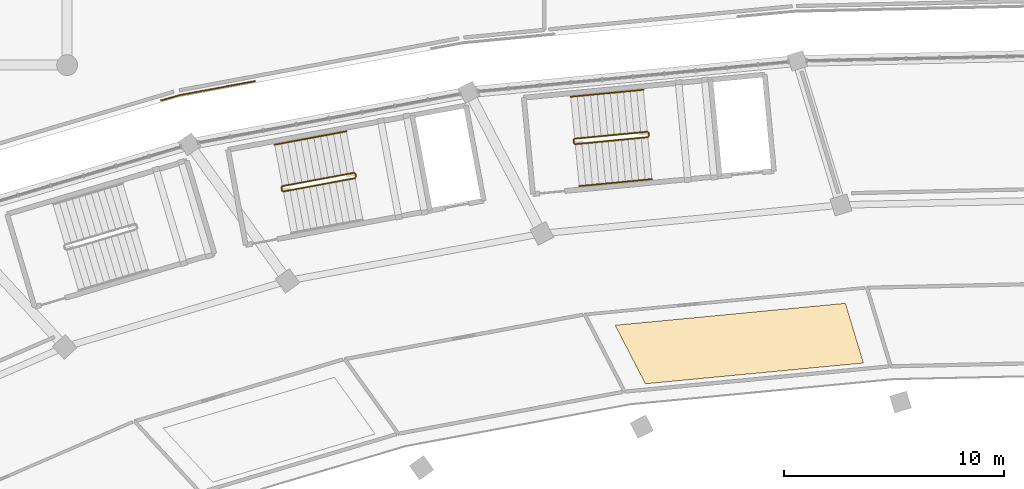
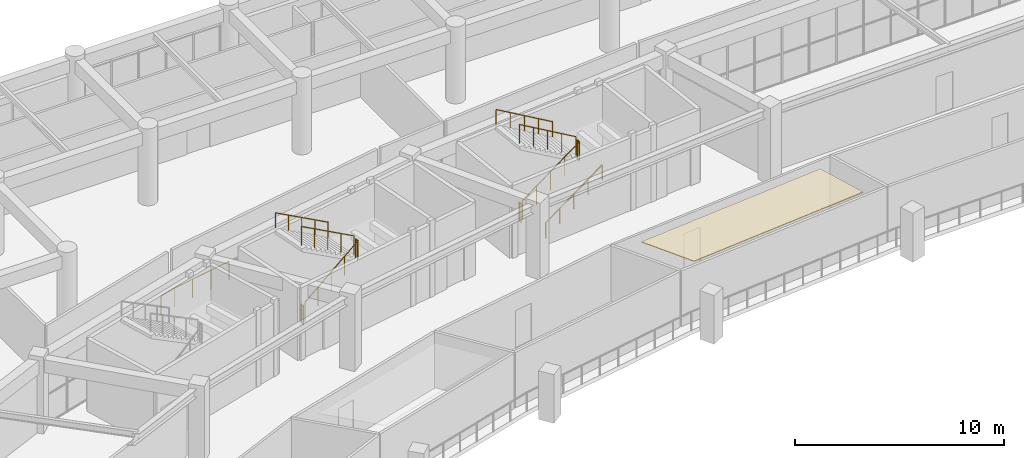
# One storey, part 136 of 141: 12 railings, 1 covering.
"""IFC4 building model written with IfcOpenShell, lengths in metres."""

import ifcopenshell
import ifcopenshell.guid

model = None  # the IFC model being written
_history = None  # IfcOwnerHistory: only IFC2X3 demands one
_inside = {}  # id of a spatial element -> (the spatial element, [elements in it])
_under = {}  # id of a project, library or spatial element -> (it, [spatial elements below it])
_declared = {}  # id of a project -> (the project, [libraries it declares])
_typed = {}  # id of a type object -> (the type object, [elements of that type])
_made_of = {}  # id of a material, layer set ... -> (it, [elements and type objects made of it])


def new_model(schema):
    """Start an empty IFC model of exactly this schema.

    Asked for "IFC4X3", IfcOpenShell would pick the latest addendum, in which some entities
    have other attributes; the version numbers below select the first issue.
    IFC2X3 requires an IfcOwnerHistory on every rooted entity: one is made here for all.
    """
    global model, _history
    if schema == "IFC4X3":
        model = ifcopenshell.file(schema_version=(4, 3, 0, 0))
    else:
        model = ifcopenshell.file(schema=schema)
    _inside.clear()
    _under.clear()
    _declared.clear()
    _typed.clear()
    _made_of.clear()
    _history = None
    if model.schema == "IFC2X3":
        org = make("IfcOrganization", Name="unknown")
        user = make(
            "IfcPersonAndOrganization",
            ThePerson=make("IfcPerson", FamilyName="unknown"),
            TheOrganization=org,
        )
        app = make(
            "IfcApplication",
            ApplicationDeveloper=org,
            Version="unknown",
            ApplicationFullName="unknown",
            ApplicationIdentifier="unknown",
        )
        _history = make(
            "IfcOwnerHistory",
            OwningUser=user,
            OwningApplication=app,
            ChangeAction="ADDED",
            CreationDate=0,
        )
    return model


def make(cls, **values):
    """One entity of the class cls with the attributes given. An attribute that is None is left unset."""
    return model.create_entity(
        cls, **{name: value for name, value in values.items() if value is not None}
    )


def rooted(cls, **values):
    """An entity with a GlobalId (a new one), such as an element, a storey or a relation."""
    return make(cls, GlobalId=ifcopenshell.guid.new(), OwnerHistory=_history, **values)


def si_unit(unit_type, name, prefix=None):
    """IfcSIUnit, for example si_unit("LENGTHUNIT", "METRE", prefix="MILLI")."""
    return make("IfcSIUnit", UnitType=unit_type, Prefix=prefix, Name=name)


def assignment(units):
    """IfcUnitAssignment: the units of a project."""
    return None if units is None else make("IfcUnitAssignment", Units=units)


def point(xyz):
    """IfcCartesianPoint."""
    return None if xyz is None else make("IfcCartesianPoint", Coordinates=xyz)


def direction(xyz):
    """IfcDirection."""
    return None if xyz is None else make("IfcDirection", DirectionRatios=xyz)


def frame(location, z_axis=None, x_axis=None):
    """IfcAxis2Placement3D, a coordinate frame: its origin and axes. An axis left out is left unset."""
    return make(
        "IfcAxis2Placement3D",
        Location=point(location),
        Axis=direction(z_axis),
        RefDirection=direction(x_axis),
    )


def frame_2d(location, x_axis=None):
    """IfcAxis2Placement2D, a coordinate frame in the plane: its origin and x axis."""
    return make(
        "IfcAxis2Placement2D", Location=point(location), RefDirection=direction(x_axis)
    )


def origin():
    """The frame at (0, 0, 0) with its axes left unset."""
    return frame((0.0, 0.0, 0.0))


def origin_2d():
    """The frame at (0, 0) in the plane with its x axis left unset."""
    return frame_2d((0.0, 0.0))


def place(relative_to, where):
    """IfcLocalPlacement: puts the frame where relative to a parent placement (None: the world)."""
    return make(
        "IfcLocalPlacement", PlacementRelTo=relative_to, RelativePlacement=where
    )


def context(
    kind, dimensions, precision=None, world=None, true_north=None, identifier=None
):
    """IfcGeometricRepresentationContext, for example the 3D "Model" context."""
    return make(
        "IfcGeometricRepresentationContext",
        ContextIdentifier=identifier,
        ContextType=kind,
        CoordinateSpaceDimension=dimensions,
        Precision=precision,
        WorldCoordinateSystem=world,
        TrueNorth=true_north,
    )


def subcontext(parent, identifier, kind, view, scale=None):
    """IfcGeometricRepresentationSubContext, for example "Body" below "Model"."""
    return make(
        "IfcGeometricRepresentationSubContext",
        ContextIdentifier=identifier,
        ContextType=kind,
        ParentContext=parent,
        TargetScale=scale,
        TargetView=view,
    )


def project(units=None, contexts=None):
    """IfcProject with its units and contexts."""
    return rooted(
        "IfcProject",
        Name="project",
        RepresentationContexts=contexts,
        UnitsInContext=assignment(units),
    )


def spatial(cls, under=None, at=None, **own):
    """A site, building, storey or space (cls), placed at a placement, below another one or the project."""
    s = rooted(cls, ObjectPlacement=at, **own)
    if under is not None:
        _under.setdefault(under.id(), (under, []))[1].append(s)
    return s


def polyline(points):
    """IfcPolyline through the points."""
    return make("IfcPolyline", Points=[point(p) for p in points])


def profile(cls, at=None, kind="AREA", **sizes):
    """A parametric profile (cls). Its sizes go by their IFC names, for example OverallWidth=200.0."""
    return make(cls, ProfileType=kind, Position=at, **sizes)


def circle(**sizes):
    """IfcCircleProfileDef."""
    return profile("IfcCircleProfileDef", **sizes)


def outline(outer, holes=None, kind="AREA"):
    """IfcArbitraryClosedProfileDef: a profile drawn as a closed curve; with holes, ...WithVoids."""
    if holes is None:
        return make("IfcArbitraryClosedProfileDef", ProfileType=kind, OuterCurve=outer)
    return make(
        "IfcArbitraryProfileDefWithVoids",
        ProfileType=kind,
        OuterCurve=outer,
        InnerCurves=holes,
    )


def extrude(swept, where, along, depth):
    """IfcExtrudedAreaSolid: the profile swept, set in the frame where, extruded along a direction by depth."""
    return make(
        "IfcExtrudedAreaSolid",
        SweptArea=swept,
        Position=where,
        ExtrudedDirection=direction(along),
        Depth=depth,
    )


def shape(context_of_items, identifier, shape_type, items):
    """IfcShapeRepresentation: the items that make up one representation, for example the "Body"."""
    return make(
        "IfcShapeRepresentation",
        ContextOfItems=context_of_items,
        RepresentationIdentifier=identifier,
        RepresentationType=shape_type,
        Items=items,
    )


def material(Name=None, Category=None):
    """IfcMaterial."""
    return make("IfcMaterial", Name=Name, Category=Category)


def layer(
    of_material, thickness, ventilated=None, Name=None, Category=None, Priority=None
):
    """IfcMaterialLayer: one layer of a wall or slab, of a material (None: an air gap)."""
    return make(
        "IfcMaterialLayer",
        Material=of_material,
        LayerThickness=thickness,
        IsVentilated=ventilated,
        Name=Name,
        Category=Category,
        Priority=Priority,
    )


def layer_set(layers, Name=None):
    """IfcMaterialLayerSet."""
    return make("IfcMaterialLayerSet", MaterialLayers=layers, LayerSetName=Name)


def made_of(thing, what):
    """Note that an element or type object is made of a material, layer set ...; save() writes the relation."""
    if what is not None:
        _made_of.setdefault(what.id(), (what, []))[1].append(thing)
    return thing


def type_object(cls, material=None, **own):
    """A type object (cls), such as IfcWallType, which elements share."""
    return made_of(rooted(cls, **own), material)


def element(
    cls,
    number,
    at=None,
    inside=None,
    cuts=None,
    type_object=None,
    material=None,
    context=None,
    identifier="Body",
    shape_type=None,
    held_by="IfcProductDefinitionShape",
    body=None,
    shapes=None,
    **own,
):
    """One element of the class cls, such as IfcWall. Its Tag is "e" and its number.

    at: its placement. inside: the storey or other place that contains it. cuts: it is an
    opening in that element (IfcRelVoidsElement). A single representation is given by context,
    identifier, shape_type and body (its items); several are given by shapes. held_by: the class
    of the entity that holds the representations. save() writes the other relations.
    """
    e = rooted(cls, Tag="e%d" % number, ObjectPlacement=at, **own)
    if body is not None:
        shapes = [shape(context, identifier, shape_type, body)]
    if shapes is not None:
        e.Representation = make(held_by, Representations=shapes)
    if inside is not None:
        _inside.setdefault(inside.id(), (inside, []))[1].append(e)
    if cuts is not None:
        rooted(
            "IfcRelVoidsElement", RelatingBuildingElement=cuts, RelatedOpeningElement=e
        )
    if type_object is not None:
        _typed.setdefault(type_object.id(), (type_object, []))[1].append(e)
    return made_of(e, material)


def aggregate(whole, parts):
    """IfcRelAggregates: a whole, such as a stair, and the parts it consists of."""
    return rooted("IfcRelAggregates", RelatingObject=whole, RelatedObjects=parts)


def save(model, path):
    """Write the relations noted so far, then the file.

    IfcRelAggregates (storeys below a building ...), IfcRelContainedInSpatialStructure (elements
    in a storey), IfcRelDefinesByType, IfcRelAssociatesMaterial and IfcRelDeclares: one each for
    every whole, place, type object, material and project.
    """
    for whole, parts in _under.values():
        aggregate(whole, parts)
    for where, things in _inside.values():
        rooted(
            "IfcRelContainedInSpatialStructure",
            RelatedElements=things,
            RelatingStructure=where,
        )
    for kind, things in _typed.values():
        rooted("IfcRelDefinesByType", RelatedObjects=things, RelatingType=kind)
    for what, things in _made_of.values():
        rooted("IfcRelAssociatesMaterial", RelatedObjects=things, RelatingMaterial=what)
    for by, libraries in _declared.values():
        rooted("IfcRelDeclares", RelatingContext=by, RelatedDefinitions=libraries)
    model.write(path)


model = new_model("IFC4")

# Units and contexts
model_context = context("Model", 3, precision=1e-05, world=origin(), true_north=direction((0.0, 1.0)))
body_context = subcontext(model_context, "Body", "Model", "MODEL_VIEW")
ifc_project = project(units=[si_unit("LENGTHUNIT", "METRE"), si_unit("AREAUNIT", "SQUARE_METRE"), si_unit("VOLUMEUNIT", "CUBIC_METRE"), si_unit("PLANEANGLEUNIT", "RADIAN"), si_unit("MASSUNIT", "GRAM", prefix="KILO")], contexts=[model_context])

# Site, building, storey
site_placement = place(None, origin())
site = spatial("IfcSite", under=ifc_project, at=site_placement, CompositionType="ELEMENT")
building_placement = place(site_placement, origin())
building = spatial("IfcBuilding", under=site, at=building_placement, Name="Mphavela Belvedere Stadium", CompositionType="ELEMENT")
storey_placement = place(building_placement, frame((0.0, 0.0, 14.699951171875)))
storey = spatial("IfcBuildingStorey", under=building, at=storey_placement, Name="L03", CompositionType="ELEMENT", Elevation=14.699951171875)

# Covering
ifc_material_1 = material(Name="Perforated acoustic mineral ceiling tile")
ifc_layer = layer(ifc_material_1, 0.0400390625)
ifc_layer_set = layer_set([ifc_layer], Name="Perforated acoustic mineral ceiling tile")
covering_type = type_object("IfcCoveringType", Name="COV-CEILING-ACOUSTIC", PredefinedType="CEILING", material=ifc_layer_set)
covering_placement = place(storey_placement, frame((0.0, 0.0, 3.199951171875)))
element("IfcCovering", 1, at=covering_placement, inside=storey, type_object=covering_type, Name="Concourse acoustic ceiling L03-14", PredefinedType="CEILING", context=body_context, shape_type="SweptSolid", body=[
    extrude(outline(polyline([(95.889404296875, 146.43701171875), (85.961181640625, 145.490234375), (84.58447265625, 148.1552734375), (95.068115234375, 149.15478515625), (95.889404296875, 146.43701171875)])), origin(), (0.0, 0.0, 1.0), 0.0400390625),
])

# Railings
ifc_material_2 = material(Name="Bronze and laminated glass stadium balustrade", Category="glass")
railing_type_1 = type_object("IfcRailingType", Name="RAL-BALUSTRADE-1120", PredefinedType="BALUSTRADE", material=ifc_material_2)
railing_1_placement = place(storey_placement, frame((68.1826171875, 159.271728515625, 0.0)))
element("IfcRailing", 2, at=railing_1_placement, inside=storey, type_object=railing_type_1, Name="Peristyle wing gallery edge balustrade L03-32", PredefinedType="BALUSTRADE", context=body_context, shape_type="SweptSolid", body=[
    extrude(circle(Radius=0.02392578125, at=origin_2d()), frame((0.0, 0.0, 1.09619140625), z_axis=(-0.983089595219, -0.183125224291, 0.0), x_axis=(0.183125224291, -0.983089595219, 0.0)), (0.0, 0.0, 1.0), 3.459716796875),
    extrude(circle(Radius=0.02392578125, at=origin_2d()), frame((-3.401123046875, -0.633544921875, 1.09619140625), z_axis=(-0.96248917912, -0.271320069434, 0.0), x_axis=(0.271320069434, -0.96248917912, 0.0)), (0.0, 0.0, 1.0), 0.91064453125),
    extrude(circle(Radius=0.02099609375, at=origin_2d()), origin(), (0.0, 0.0, 1.0), 1.072021484375),
    extrude(circle(Radius=0.02099609375, at=origin_2d()), frame((-1.1337890625, -0.211181640625, 0.0)), (0.0, 0.0, 1.0), 1.072021484375),
    extrude(circle(Radius=0.02099609375, at=origin_2d()), frame((-2.267333984375, -0.42236328125, 0.0)), (0.0, 0.0, 1.0), 1.072021484375),
    extrude(circle(Radius=0.02099609375, at=origin_2d()), frame((-3.401123046875, -0.633544921875, 0.0)), (0.0, 0.0, 1.0), 1.072021484375),
    extrude(circle(Radius=0.02099609375, at=origin_2d()), frame((-4.277587890625, -0.880615234375, 0.0)), (0.0, 0.0, 1.0), 1.072021484375),
])
ifc_material_3 = material(Name="Painted galvanised steel stair guardrail", Category="steel")
railing_type_2 = type_object("IfcRailingType", Name="RAL-GUARD-1120", PredefinedType="GUARDRAIL", material=ifc_material_3)
railing_2_placement = place(storey_placement, frame((69.47607421875, 154.24609375, 0.1875)))
element("IfcRailing", 3, at=railing_2_placement, inside=storey, type_object=railing_type_2, Name="L03 ST-C02 stair guard 1", PredefinedType="GUARDRAIL", context=body_context, shape_type="SweptSolid", body=[
    extrude(circle(Radius=0.02392578125, at=origin_2d()), frame((0.0, 0.0, 1.09619140625), z_axis=(0.835191065509, 0.155599292408, 0.527489094006), x_axis=(-0.183152411056, 0.98308453061, 0.0)), (0.0, 0.0, 1.0), 3.909912109375),
    extrude(circle(Radius=0.02099609375, at=origin_2d()), origin(), (0.0, 0.0, 1.0), 1.072021484375),
    extrude(circle(Radius=0.02099609375, at=origin_2d()), frame((0.81640625, 0.152099609375, 0.515625)), (0.0, 0.0, 1.0), 1.072021484375),
    extrude(circle(Radius=0.02099609375, at=origin_2d()), frame((1.6328125, 0.30419921875, 1.03125)), (0.0, 0.0, 1.0), 1.072021484375),
    extrude(circle(Radius=0.02099609375, at=origin_2d()), frame((2.44921875, 0.456298828125, 1.546875)), (0.0, 0.0, 1.0), 1.072021484375),
    extrude(circle(Radius=0.02099609375, at=origin_2d()), frame((3.265625, 0.6083984375, 2.0625)), (0.0, 0.0, 1.0), 1.072021484375),
])
railing_3_placement = place(storey_placement, frame((72.78173828125, 154.91259765625, 2.25)))
element("IfcRailing", 4, at=railing_3_placement, inside=storey, type_object=railing_type_2, Name="L03 ST-C02 stair guard 2", PredefinedType="GUARDRAIL", context=body_context, shape_type="SweptSolid", body=[
    extrude(circle(Radius=0.02392578125, at=origin_2d()), frame((0.0, 0.0, 1.09619140625), z_axis=(-0.182322426032, 0.983238797529, 0.0), x_axis=(-0.983238797529, -0.182322426032, 0.0)), (0.0, 0.0, 1.0), 0.14990234375),
    extrude(circle(Radius=0.02099609375, at=origin_2d()), origin(), (0.0, 0.0, 1.0), 1.072021484375),
    extrude(circle(Radius=0.02099609375, at=origin_2d()), frame((-0.02734375, 0.1474609375, 0.0)), (0.0, 0.0, 1.0), 1.072021484375),
])
railing_4_placement = place(storey_placement, frame((72.696044921875, 155.10009765625, 2.4375)))
element("IfcRailing", 5, at=railing_4_placement, inside=storey, type_object=railing_type_2, Name="L03 ST-C02 stair guard 3", PredefinedType="GUARDRAIL", context=body_context, shape_type="SweptSolid", body=[
    extrude(circle(Radius=0.02392578125, at=origin_2d()), frame((0.0, 0.0, 1.09619140625), z_axis=(-0.835218061398, -0.155530252743, 0.527466710226), x_axis=(0.183068151301, -0.983100224789, 0.0)), (0.0, 0.0, 1.0), 3.91015625),
    extrude(circle(Radius=0.02099609375, at=origin_2d()), origin(), (0.0, 0.0, 1.0), 1.072021484375),
    extrude(circle(Radius=0.02099609375, at=origin_2d()), frame((-0.81640625, -0.152099609375, 0.515625)), (0.0, 0.0, 1.0), 1.072021484375),
    extrude(circle(Radius=0.02099609375, at=origin_2d()), frame((-1.6328125, -0.30419921875, 1.03125)), (0.0, 0.0, 1.0), 1.072021484375),
    extrude(circle(Radius=0.02099609375, at=origin_2d()), frame((-2.449462890625, -0.4560546875, 1.546875)), (0.0, 0.0, 1.0), 1.072021484375),
    extrude(circle(Radius=0.02099609375, at=origin_2d()), frame((-3.265869140625, -0.608154296875, 2.0625)), (0.0, 0.0, 1.0), 1.072021484375),
])
railing_5_placement = place(storey_placement, frame((69.417724609375, 154.2861328125, 0.0)))
element("IfcRailing", 6, at=railing_5_placement, inside=storey, type_object=railing_type_2, Name="L03 ST-C02 stair guard 4", PredefinedType="GUARDRAIL", context=body_context, shape_type="SweptSolid", body=[
    extrude(circle(Radius=0.02392578125, at=origin_2d()), frame((0.0, 0.0, 1.09619140625), z_axis=(-0.183895489382, 0.982945801652, 0.0), x_axis=(-0.982945801652, -0.183895489382, 0.0)), (0.0, 0.0, 1.0), 0.14990234375),
    extrude(circle(Radius=0.02099609375, at=origin_2d()), origin(), (0.0, 0.0, 1.0), 1.072021484375),
    extrude(circle(Radius=0.02099609375, at=origin_2d()), frame((-0.027587890625, 0.1474609375, 0.0)), (0.0, 0.0, 1.0), 1.072021484375),
])
railing_6_placement = place(storey_placement, frame((82.765869140625, 156.4033203125, 0.1875)))
element("IfcRailing", 7, at=railing_6_placement, inside=storey, type_object=railing_type_2, Name="L03 ST-C04 stair guard 1", PredefinedType="GUARDRAIL", context=body_context, shape_type="SweptSolid", body=[
    extrude(circle(Radius=0.02392578125, at=origin_2d()), frame((0.0, 0.0, 1.09619140625), z_axis=(0.845728756468, 0.080670472747, 0.527479995175), x_axis=(-0.094954759157, 0.995481588837, 0.0)), (0.0, 0.0, 1.0), 3.91015625),
    extrude(circle(Radius=0.02099609375, at=origin_2d()), origin(), (0.0, 0.0, 1.0), 1.072021484375),
    extrude(circle(Radius=0.02099609375, at=origin_2d()), frame((0.82666015625, 0.078857421875, 0.515625)), (0.0, 0.0, 1.0), 1.072021484375),
    extrude(circle(Radius=0.02099609375, at=origin_2d()), frame((1.6533203125, 0.15771484375, 1.03125)), (0.0, 0.0, 1.0), 1.072021484375),
    extrude(circle(Radius=0.02099609375, at=origin_2d()), frame((2.480224609375, 0.236572265625, 1.546875)), (0.0, 0.0, 1.0), 1.072021484375),
    extrude(circle(Radius=0.02099609375, at=origin_2d()), frame((3.306884765625, 0.3154296875, 2.0625)), (0.0, 0.0, 1.0), 1.072021484375),
])
railing_7_placement = place(storey_placement, frame((86.11767578125, 156.7734375, 2.25)))
element("IfcRailing", 8, at=railing_7_placement, inside=storey, type_object=railing_type_2, Name="L03 ST-C04 stair guard 2", PredefinedType="GUARDRAIL", context=body_context, shape_type="SweptSolid", body=[
    extrude(circle(Radius=0.02392578125, at=origin_2d()), frame((0.0, 0.0, 1.09619140625), z_axis=(-0.094501527919, 0.995524716529, 0.0), x_axis=(-0.995524716529, -0.094501527919, 0.0)), (0.0, 0.0, 1.0), 0.14990234375),
    extrude(circle(Radius=0.02099609375, at=origin_2d()), origin(), (0.0, 0.0, 1.0), 1.072021484375),
    extrude(circle(Radius=0.02099609375, at=origin_2d()), frame((-0.01416015625, 0.149169921875, 0.0)), (0.0, 0.0, 1.0), 1.072021484375),
])
railing_8_placement = place(storey_placement, frame((86.049072265625, 156.9677734375, 2.4375)))
element("IfcRailing", 9, at=railing_8_placement, inside=storey, type_object=railing_type_2, Name="L03 ST-C04 stair guard 3", PredefinedType="GUARDRAIL", context=body_context, shape_type="SweptSolid", body=[
    extrude(circle(Radius=0.02392578125, at=origin_2d()), frame((0.0, 0.0, 1.09619140625), z_axis=(-0.845742272822, -0.080728241456, 0.527449484778), x_axis=(0.095020638299, -0.995475302706, 0.0)), (0.0, 0.0, 1.0), 3.910400390625),
    extrude(circle(Radius=0.02099609375, at=origin_2d()), origin(), (0.0, 0.0, 1.0), 1.072021484375),
    extrude(circle(Radius=0.02099609375, at=origin_2d()), frame((-0.82666015625, -0.078857421875, 0.515625)), (0.0, 0.0, 1.0), 1.072021484375),
    extrude(circle(Radius=0.02099609375, at=origin_2d()), frame((-1.653564453125, -0.15771484375, 1.03125)), (0.0, 0.0, 1.0), 1.072021484375),
    extrude(circle(Radius=0.02099609375, at=origin_2d()), frame((-2.48046875, -0.23681640625, 1.546875)), (0.0, 0.0, 1.0), 1.072021484375),
    extrude(circle(Radius=0.02099609375, at=origin_2d()), frame((-3.30712890625, -0.315673828125, 2.0625)), (0.0, 0.0, 1.0), 1.072021484375),
])
railing_9_placement = place(storey_placement, frame((82.711181640625, 156.448486328125, 0.0)))
element("IfcRailing", 10, at=railing_9_placement, inside=storey, type_object=railing_type_2, Name="L03 ST-C04 stair guard 4", PredefinedType="GUARDRAIL", context=body_context, shape_type="SweptSolid", body=[
    extrude(circle(Radius=0.02392578125, at=origin_2d()), frame((0.0, 0.0, 1.09619140625), z_axis=(-0.094501527919, 0.995524716529, 0.0), x_axis=(-0.995524716529, -0.094501527919, 0.0)), (0.0, 0.0, 1.0), 0.14990234375),
    extrude(circle(Radius=0.02099609375, at=origin_2d()), origin(), (0.0, 0.0, 1.0), 1.072021484375),
    extrude(circle(Radius=0.02099609375, at=origin_2d()), frame((-0.01416015625, 0.149169921875, 0.0)), (0.0, 0.0, 1.0), 1.072021484375),
])
ifc_material_4 = material(Name="Brushed stainless steel tubular handrail", Category="steel")
railing_type_3 = type_object("IfcRailingType", Name="RAL-HANDRAIL-900", PredefinedType="HANDRAIL", material=ifc_material_4)
railing_10_placement = place(storey_placement, frame((72.344482421875, 156.98779296875, 2.4375)))
element("IfcRailing", 11, at=railing_10_placement, inside=storey, type_object=railing_type_3, Name="L03 ST-C02 stair handrail 2", PredefinedType="HANDRAIL", context=body_context, shape_type="SweptSolid", body=[
    extrude(circle(Radius=0.02392578125, at=origin_2d()), frame((0.0, 0.0, 0.8759765625), z_axis=(-0.835209949234, -0.155591178402, 0.527461587137), x_axis=(0.183139178697, -0.983086995757, 0.0)), (0.0, 0.0, 1.0), 3.91015625),
    extrude(circle(Radius=0.02099609375, at=origin_2d()), origin(), (0.0, 0.0, 1.0), 0.851806640625),
    extrude(circle(Radius=0.02099609375, at=origin_2d()), frame((-0.81640625, -0.152099609375, 0.515625)), (0.0, 0.0, 1.0), 0.851806640625),
    extrude(circle(Radius=0.02099609375, at=origin_2d()), frame((-1.6328125, -0.30419921875, 1.03125)), (0.0, 0.0, 1.0), 0.851806640625),
    extrude(circle(Radius=0.02099609375, at=origin_2d()), frame((-2.449462890625, -0.456298828125, 1.546875)), (0.0, 0.0, 1.0), 0.851806640625),
    extrude(circle(Radius=0.02099609375, at=origin_2d()), frame((-3.265869140625, -0.6083984375, 2.0625)), (0.0, 0.0, 1.0), 0.851806640625),
])
railing_11_placement = place(storey_placement, frame((82.947998046875, 154.491943359375, 0.1875)))
element("IfcRailing", 12, at=railing_11_placement, inside=storey, type_object=railing_type_3, Name="L03 ST-C04 stair handrail 1", PredefinedType="HANDRAIL", context=body_context, shape_type="SweptSolid", body=[
    extrude(circle(Radius=0.02392578125, at=origin_2d()), frame((0.0, 0.0, 0.8759765625), z_axis=(0.845742272822, 0.080728241456, 0.527449484778), x_axis=(-0.095020638299, 0.995475302706, 0.0)), (0.0, 0.0, 1.0), 3.910400390625),
    extrude(circle(Radius=0.02099609375, at=origin_2d()), origin(), (0.0, 0.0, 1.0), 0.851806640625),
    extrude(circle(Radius=0.02099609375, at=origin_2d()), frame((0.82666015625, 0.078857421875, 0.515625)), (0.0, 0.0, 1.0), 0.851806640625),
    extrude(circle(Radius=0.02099609375, at=origin_2d()), frame((1.653564453125, 0.15771484375, 1.03125)), (0.0, 0.0, 1.0), 0.851806640625),
    extrude(circle(Radius=0.02099609375, at=origin_2d()), frame((2.48046875, 0.23681640625, 1.546875)), (0.0, 0.0, 1.0), 0.851806640625),
    extrude(circle(Radius=0.02099609375, at=origin_2d()), frame((3.30712890625, 0.315673828125, 2.0625)), (0.0, 0.0, 1.0), 0.851806640625),
])
railing_12_placement = place(storey_placement, frame((85.86669921875, 158.879150390625, 2.4375)))
element("IfcRailing", 13, at=railing_12_placement, inside=storey, type_object=railing_type_3, Name="L03 ST-C04 stair handrail 2", PredefinedType="HANDRAIL", context=body_context, shape_type="SweptSolid", body=[
    extrude(circle(Radius=0.02392578125, at=origin_2d()), frame((0.0, 0.0, 0.8759765625), z_axis=(-0.845742272822, -0.080728241456, 0.527449484778), x_axis=(0.095020638299, -0.995475302706, 0.0)), (0.0, 0.0, 1.0), 3.910400390625),
    extrude(circle(Radius=0.02099609375, at=origin_2d()), origin(), (0.0, 0.0, 1.0), 0.851806640625),
    extrude(circle(Radius=0.02099609375, at=origin_2d()), frame((-0.82666015625, -0.078857421875, 0.515625)), (0.0, 0.0, 1.0), 0.851806640625),
    extrude(circle(Radius=0.02099609375, at=origin_2d()), frame((-1.653564453125, -0.15771484375, 1.03125)), (0.0, 0.0, 1.0), 0.851806640625),
    extrude(circle(Radius=0.02099609375, at=origin_2d()), frame((-2.48046875, -0.23681640625, 1.546875)), (0.0, 0.0, 1.0), 0.851806640625),
    extrude(circle(Radius=0.02099609375, at=origin_2d()), frame((-3.30712890625, -0.315673828125, 2.0625)), (0.0, 0.0, 1.0), 0.851806640625),
])

save(model, "model.ifc")
